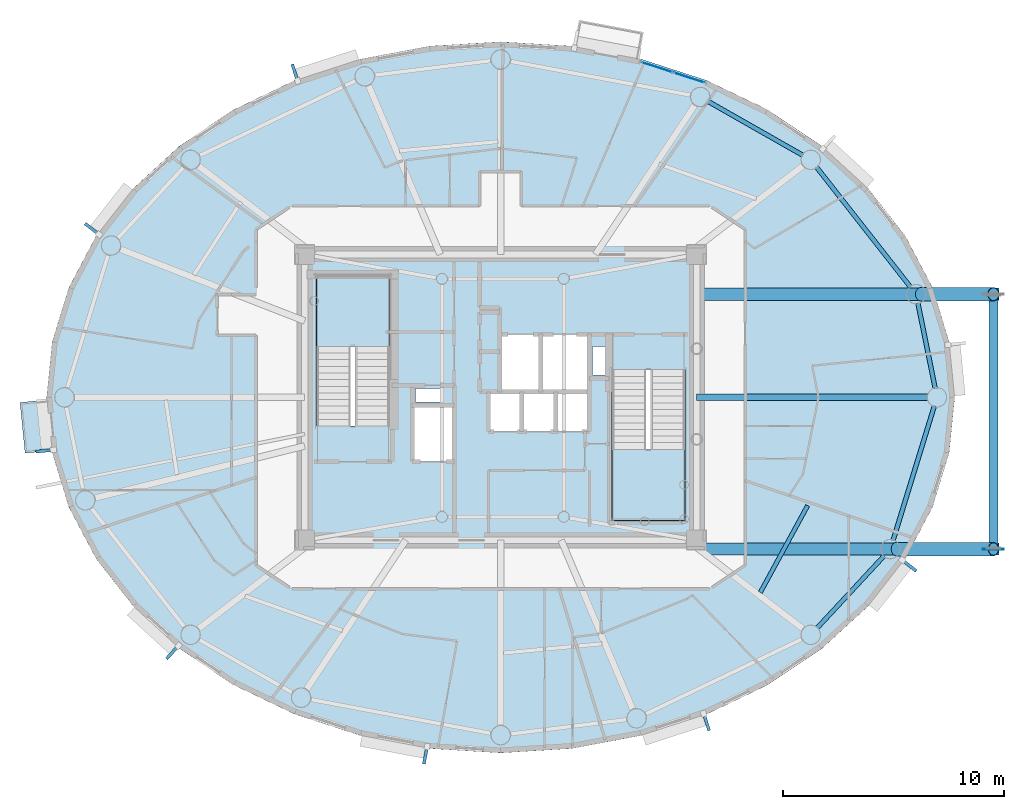
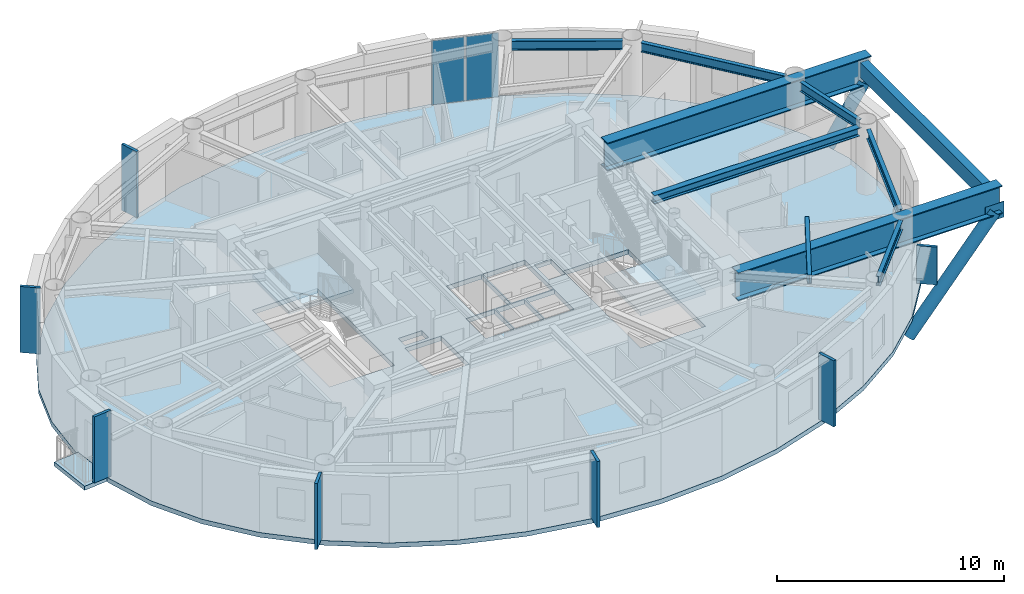
# One storey, part 4 of 17: 10 beams, 10 plates, 4 slabs, 2 members, 3 elements without a shape of their own.
"""IFC4 building model written with IfcOpenShell, lengths in metres."""

from ifc_helpers import new_model, si_unit, direction, frame, origin, origin_2d, place, context, subcontext, project, spatial, polyline, rectangle, hollow_rectangle, hollow_circle, i_section, outline, extrude, source, transform, mapped, material, layer, layer_set, material_profile, profile_set, type_object, element, aggregate, save


model = new_model("IFC4")

# Units and contexts
model_context = context("Model", 3, precision=1e-05, world=origin(), true_north=direction((0.0, 1.0)))
body_context = subcontext(model_context, "Body", "Model", "MODEL_VIEW")
ifc_project = project(units=[si_unit("LENGTHUNIT", "METRE"), si_unit("AREAUNIT", "SQUARE_METRE"), si_unit("VOLUMEUNIT", "CUBIC_METRE"), si_unit("PLANEANGLEUNIT", "RADIAN"), si_unit("MASSUNIT", "GRAM", prefix="KILO")], contexts=[model_context])

# Site, building, storey
site_placement = place(None, origin())
site = spatial("IfcSite", under=ifc_project, at=site_placement, CompositionType="ELEMENT")
building_placement = place(site_placement, origin())
building = spatial("IfcBuilding", under=site, at=building_placement, Name="Linh Dai School and Residence Tower", CompositionType="ELEMENT")
storey_placement = place(building_placement, frame((0.0, 0.0, 335.39990234375)))
storey = spatial("IfcBuildingStorey", under=building, at=storey_placement, Name="L83", CompositionType="ELEMENT", Elevation=335.39990234375)

# Beams
ifc_material_1 = material(Name="Structural Steel S355JR", Category="steel")
ifc_material_profile_1 = material_profile(ifc_material_1, hollow_rectangle(XDim=0.39990234375, YDim=0.800048828125, WallThickness=0.02490234375, at=origin_2d()), Name="RHS 800x400x25")
ifc_profile_set_1 = profile_set([ifc_material_profile_1], Name="Structural Steel S355JR")
beam_type_1 = type_object("IfcBeamType", Name="BM-BX8", PredefinedType="BEAM", material=ifc_profile_set_1)
beam_1_placement = place(storey_placement, frame((58.25, 20.1875, 2.800048828125), z_axis=(0.0, 1.0, 0.0), x_axis=(-1.0, 0.0, 0.0)))
element("IfcBeam", 1, at=beam_1_placement, inside=storey, type_object=beam_type_1, Name="L83 Sky-Lounge Transverse Edge Girder S1", PredefinedType="BEAM", context=body_context, shape_type="SweptSolid", body=[
    extrude(hollow_rectangle(XDim=0.39990234375, YDim=0.800048828125, WallThickness=0.02490234375, at=origin_2d()), origin(), (0.0, 0.0, 1.0), 11.42724609375),
])
ifc_material_profile_2 = material_profile(ifc_material_1, i_section(OverallWidth=0.199951171875, OverallDepth=0.5, WebThickness=0.01025390625, FlangeThickness=0.01611328125, FilletRadius=0.02099609375, at=origin_2d()), Name="IPE 500")
ifc_profile_set_2 = profile_set([ifc_material_profile_2], Name="Structural Steel S355JR")
beam_type_2 = type_object("IfcBeamType", Name="BM-RB50", PredefinedType="BEAM", material=ifc_profile_set_2)
beam_2_placement = place(storey_placement, frame((55.61669921875, 27.41162109375, 3.300048828125), z_axis=(-0.198409502721, 0.980119211744, 0.0), x_axis=(-0.980119211744, -0.198409502721, 0.0)))
element("IfcBeam", 2, at=beam_2_placement, inside=storey, type_object=beam_type_2, Name="L83 Perimeter Elliptical Ring Beam 01", PredefinedType="BEAM", context=body_context, shape_type="SweptSolid", body=[
    extrude(i_section(OverallWidth=0.199951171875, OverallDepth=0.5, WebThickness=0.01025390625, FlangeThickness=0.01611328125, FilletRadius=0.02099609375, at=origin_2d()), origin(), (0.0, 0.0, 1.0), 3.9091796875),
])
beam_3_placement = place(storey_placement, frame((54.498779296875, 31.9853515625, 3.300048828125), z_axis=(-0.616844770958, 0.787084829318, 0.0), x_axis=(-0.787084829318, -0.616844770958, 0.0)))
element("IfcBeam", 3, at=beam_3_placement, inside=storey, type_object=beam_type_2, Name="L83 Perimeter Elliptical Ring Beam 02", PredefinedType="BEAM", context=body_context, shape_type="SweptSolid", body=[
    extrude(i_section(OverallWidth=0.199951171875, OverallDepth=0.5, WebThickness=0.01025390625, FlangeThickness=0.01611328125, FilletRadius=0.02099609375, at=origin_2d()), origin(), (0.0, 0.0, 1.0), 6.869384765625),
])
beam_4_placement = place(storey_placement, frame((49.637451171875, 37.930419921875, 3.300048828125), z_axis=(-0.86923725405, 0.494395182189, 0.0), x_axis=(-0.494395182189, -0.86923725405, 0.0)))
element("IfcBeam", 4, at=beam_4_placement, inside=storey, type_object=beam_type_2, Name="L83 Perimeter Elliptical Ring Beam 03", PredefinedType="BEAM", context=body_context, shape_type="SweptSolid", body=[
    extrude(i_section(OverallWidth=0.199951171875, OverallDepth=0.5, WebThickness=0.01025390625, FlangeThickness=0.01611328125, FilletRadius=0.02099609375, at=origin_2d()), origin(), (0.0, 0.0, 1.0), 4.903076171875),
])
beam_5_placement = place(storey_placement, frame((50.2880859375, 16.5849609375, 3.300048828125), z_axis=(0.680339330162, 0.732897261446, 0.0), x_axis=(-0.732897261446, 0.680339330162, 0.0)))
element("IfcBeam", 5, at=beam_5_placement, inside=storey, type_object=beam_type_2, Name="L83 Perimeter Elliptical Ring Beam 15", PredefinedType="BEAM", context=body_context, shape_type="SweptSolid", body=[
    extrude(i_section(OverallWidth=0.199951171875, OverallDepth=0.5, WebThickness=0.01025390625, FlangeThickness=0.01611328125, FilletRadius=0.02099609375, at=origin_2d()), origin(), (0.0, 0.0, 1.0), 4.440673828125),
])
beam_6_placement = place(storey_placement, frame((53.718505859375, 20.548828125, 3.300048828125), z_axis=(0.293606003102, 0.955926521728, 0.0), x_axis=(-0.955926521728, 0.293606003102, 0.0)))
element("IfcBeam", 6, at=beam_6_placement, inside=storey, type_object=beam_type_2, Name="L83 Perimeter Elliptical Ring Beam 16", PredefinedType="BEAM", context=body_context, shape_type="SweptSolid", body=[
    extrude(i_section(OverallWidth=0.199951171875, OverallDepth=0.5, WebThickness=0.01025390625, FlangeThickness=0.01611328125, FilletRadius=0.02099609375, at=origin_2d()), origin(), (0.0, 0.0, 1.0), 6.32861328125),
])
ifc_material_profile_3 = material_profile(ifc_material_1, i_section(OverallWidth=0.300048828125, OverallDepth=0.449951171875, WebThickness=0.013916015625, FlangeThickness=0.02587890625, FilletRadius=0.027099609375, at=origin_2d()), Name="HEB 450")
ifc_profile_set_3 = profile_set([ifc_material_profile_3], Name="Structural Steel S355JR")
beam_type_3 = type_object("IfcBeamType", Name="BM-RG45", PredefinedType="BEAM", material=ifc_profile_set_3)
beam_7_placement = place(storey_placement, frame((44.85009765625, 27.0, 3.3251953125), z_axis=(1.0, 0.0, 0.0), x_axis=(0.0, 1.0, 0.0)))
element("IfcBeam", 7, at=beam_7_placement, inside=storey, type_object=beam_type_3, Name="L83 Primary Radial Floor Girder 01", PredefinedType="BEAM", context=body_context, shape_type="SweptSolid", body=[
    extrude(i_section(OverallWidth=0.300048828125, OverallDepth=0.449951171875, WebThickness=0.013916015625, FlangeThickness=0.02587890625, FilletRadius=0.027099609375, at=origin_2d()), origin(), (0.0, 0.0, 1.0), 10.429931640625),
])
ifc_material_profile_4 = material_profile(ifc_material_1, i_section(OverallWidth=0.18994140625, OverallDepth=0.449951171875, WebThickness=0.009521484375, FlangeThickness=0.0146484375, FilletRadius=0.02099609375, at=origin_2d()), Name="IPE 450")
ifc_profile_set_4 = profile_set([ifc_material_profile_4], Name="Structural Steel S355JR")
beam_type_4 = type_object("IfcBeamType", Name="BM-SB45", PredefinedType="BEAM", material=ifc_profile_set_4)
beam_8_placement = place(storey_placement, frame((47.72119140625, 18.18603515625, 3.3251953125), z_axis=(0.478255296325, 0.878220855786, 0.0), x_axis=(-0.878220855786, 0.478255296325, 0.0)))
element("IfcBeam", 8, at=beam_8_placement, inside=storey, type_object=beam_type_4, Name="L83 Secondary Circumferential Floor Beam 08", PredefinedType="BEAM", context=body_context, shape_type="SweptSolid", body=[
    extrude(i_section(OverallWidth=0.18994140625, OverallDepth=0.449951171875, WebThickness=0.009521484375, FlangeThickness=0.0146484375, FilletRadius=0.02099609375, at=origin_2d()), origin(), (0.0, 0.0, 1.0), 4.471923828125),
])
ifc_material_profile_5 = material_profile(ifc_material_1, i_section(OverallWidth=0.550048828125, OverallDepth=1.5, WebThickness=0.028076171875, FlangeThickness=0.050048828125, at=origin_2d()), Name="PG 1500x550x28x50")
ifc_profile_set_5 = profile_set([ifc_material_profile_5], Name="Structural Steel S355JR")
beam_type_5 = type_object("IfcBeamType", Name="BM-TG15", PredefinedType="BEAM", material=ifc_profile_set_5)
for number, where, z_axis, x_axis, name in (
    (9, (45.073974609375, 20.1474609375, 2.800048828125), (1.0, 0.0, 0.0), (0.0, 1.0, 0.0), "L83 Sky-Lounge Stage-1 Continuous Transfer Girder S"),
    (10, (45.073974609375, 31.65478515625, 2.800048828125), (1.0, 0.0, 0.0), (0.0, 1.0, 0.0), "L83 Sky-Lounge Stage-1 Continuous Transfer Girder N"),
):
    element("IfcBeam", number, at=place(storey_placement, frame(where, z_axis=z_axis, x_axis=x_axis)), inside=storey, type_object=beam_type_5, Name=name, PredefinedType="BEAM", context=body_context, shape_type="SweptSolid", body=[
        extrude(i_section(OverallWidth=0.550048828125, OverallDepth=1.5, WebThickness=0.028076171875, FlangeThickness=0.050048828125, at=origin_2d()), origin(), (0.0, 0.0, 1.0), 13.426025390625),
    ])

# Members
ifc_material_profile_6 = material_profile(ifc_material_1, hollow_circle(Radius=0.304931640625, WallThickness=0.02490234375, at=origin_2d()), Name="CHS 610x25")
ifc_profile_set_6 = profile_set([ifc_material_profile_6], Name="Structural Steel S355JR")
member_type = type_object("IfcMemberType", Name="MBR-SKR1", PredefinedType="BRACE", material=ifc_profile_set_6)
member_1_placement = place(storey_placement, frame((53.8662109375, 20.1474609375, -3.0791015625), z_axis=(0.645334654761, 0.0, 0.763899982566), x_axis=(0.0, 1.0, 0.0)))
element("IfcMember", 11, at=member_1_placement, inside=storey, type_object=member_type, Name="L83 Sky-Lounge Lower Raking Strut S", PredefinedType="BRACE", context=body_context, shape_type="SweptSolid", body=[
    extrude(hollow_circle(Radius=0.304931640625, WallThickness=0.02490234375, at=origin_2d()), origin(), (0.0, 0.0, 1.0), 6.79296875),
])
member_2_placement = place(storey_placement, frame((54.982666015625, 31.65478515625, -3.045166015625), z_axis=(0.535324220513, 0.0, 0.844646659221), x_axis=(0.0, 1.0, 0.0)))
element("IfcMember", 12, at=member_2_placement, inside=storey, type_object=member_type, Name="L83 Sky-Lounge Lower Raking Strut N", PredefinedType="BRACE", context=body_context, shape_type="SweptSolid", body=[
    extrude(hollow_circle(Radius=0.304931640625, WallThickness=0.02490234375, at=origin_2d()), origin(), (0.0, 0.0, 1.0), 6.103515625),
])

# Slabs
ifc_material_2 = material(Name="Concrete B45 (C35/45)", Category="concrete")
ifc_layer_1 = layer(ifc_material_2, 0.219970703125)
ifc_layer_set_1 = layer_set([ifc_layer_1], Name="Concrete B45 (C35/45)")
slab_type_1 = type_object("IfcSlabType", Name="SLB-BALC-220", PredefinedType="FLOOR", material=ifc_layer_set_1)
slab_1_placement = place(storey_placement, frame((0.0, 0.0, -0.219970703125)))
element("IfcSlab", 13, at=slab_1_placement, inside=storey, type_object=slab_type_1, Name="L83 Sliding Balcony Slab 21", PredefinedType="FLOOR", context=body_context, shape_type="SweptSolid", body=[
    extrude(outline(polyline([(15.820068359375, 24.608154296875), (15.59033203125, 26.89599609375), (14.296630859375, 26.76611328125), (14.526611328125, 24.478271484375), (15.820068359375, 24.608154296875)])), origin(), (0.0, 0.0, 1.0), 0.219970703125),
])
ifc_layer_2 = layer(ifc_material_2, 0.25)
ifc_layer_set_2 = layer_set([ifc_layer_2], Name="Concrete B45 (C35/45)")
slab_type_2 = type_object("IfcSlabType", Name="SLB-FLR250", PredefinedType="FLOOR", material=ifc_layer_set_2)
slab_2_placement = place(storey_placement, frame((0.0, 0.0, -0.25)))
element("IfcSlab", 14, at=slab_2_placement, inside=storey, type_object=slab_type_2, Name="L83 Composite Structural Floor Slab", PredefinedType="FLOOR", context=body_context, shape_type="SweptSolid", body=[
    extrude(outline(polyline([(56.5, 27.0), (56.24755859375, 29.511474609375), (55.49658203125, 31.961181640625), (54.265625, 34.288818359375), (52.5849609375, 36.43701171875), (50.49560546875, 38.3525390625), (48.049560546875, 39.98876953125), (45.306884765625, 41.30517578125), (42.3349609375, 42.269287109375), (39.206787109375, 42.857421875), (36.0, 43.054931640625), (32.793212890625, 42.857421875), (29.6650390625, 42.269287109375), (26.693115234375, 41.30517578125), (23.950439453125, 39.98876953125), (21.50439453125, 38.3525390625), (19.4150390625, 36.43701171875), (17.734375, 34.288818359375), (16.50341796875, 31.961181640625), (15.75244140625, 29.511474609375), (15.5, 27.0), (15.75244140625, 24.488525390625), (16.50341796875, 22.038818359375), (17.734375, 19.711181640625), (19.4150390625, 17.56298828125), (21.50439453125, 15.6474609375), (23.950439453125, 14.01123046875), (26.693115234375, 12.69482421875), (29.6650390625, 11.730712890625), (32.793212890625, 11.142578125), (36.0, 10.945068359375), (39.206787109375, 11.142578125), (42.3349609375, 11.730712890625), (45.306884765625, 12.69482421875), (48.049560546875, 14.01123046875), (50.49560546875, 15.6474609375), (52.5849609375, 17.56298828125), (54.265625, 19.711181640625), (55.49658203125, 22.038818359375), (56.24755859375, 24.488525390625), (56.5, 27.0)]), holes=[polyline([(30.97998046875, 25.699951171875), (30.97998046875, 32.5), (27.679931640625, 32.5), (27.679931640625, 25.699951171875), (30.97998046875, 25.699951171875)]), polyline([(41.02001953125, 28.25), (41.02001953125, 21.449951171875), (44.320068359375, 21.449951171875), (44.320068359375, 28.25), (41.02001953125, 28.25)]), polyline([(35.97998046875, 27.280029296875), (37.77001953125, 27.280029296875), (37.77001953125, 29.820068359375), (35.97998046875, 29.820068359375), (35.97998046875, 27.280029296875)]), polyline([(32.030029296875, 24.1298828125), (33.8701171875, 24.1298828125), (33.8701171875, 26.6201171875), (32.030029296875, 26.6201171875), (32.030029296875, 24.1298828125)]), polyline([(37.830078125, 27.280029296875), (39.969970703125, 27.280029296875), (39.969970703125, 29.820068359375), (37.830078125, 29.820068359375), (37.830078125, 27.280029296875)]), polyline([(35.47998046875, 25.47998046875), (36.929931640625, 25.47998046875), (36.929931640625, 27.219970703125), (35.47998046875, 27.219970703125), (35.47998046875, 25.47998046875)]), polyline([(36.989990234375, 25.47998046875), (38.449951171875, 25.47998046875), (38.449951171875, 27.219970703125), (36.989990234375, 27.219970703125), (36.989990234375, 25.47998046875)]), polyline([(38.510009765625, 25.47998046875), (39.969970703125, 25.47998046875), (39.969970703125, 27.219970703125), (38.510009765625, 27.219970703125), (38.510009765625, 25.47998046875)]), polyline([(40.14990234375, 28.0), (40.14990234375, 29.300048828125), (41.0, 29.300048828125), (41.0, 28.280029296875), (40.989990234375, 28.280029296875), (40.989990234375, 28.0), (40.14990234375, 28.0)]), polyline([(32.14990234375, 26.800048828125), (33.35009765625, 26.800048828125), (33.35009765625, 27.39990234375), (32.14990234375, 27.39990234375), (32.14990234375, 26.800048828125)])]), origin(), (0.0, 0.0, 1.0), 0.25),
])

# Stair, slab
stair_type = type_object("IfcStairType", Name="ST-DOG-1550-R1462", PredefinedType="HALF_TURN_STAIR", material=ifc_material_2)
stair_1_placement = place(storey_placement, origin())
stair_1 = element("IfcStair", 15, at=stair_1_placement, inside=storey, type_object=stair_type, Name="L83 Core Smokeproof Exit Stair ST1", PredefinedType="HALF_TURN_STAIR")
ifc_layer_3 = layer(ifc_material_2, 0.199951171875)
ifc_layer_set_3 = layer_set([ifc_layer_3], Name="Concrete B45 (C35/45)")
slab_type_3 = type_object("IfcSlabType", Name="SLB-ST-LANDING-200", PredefinedType="LANDING", material=ifc_layer_set_3)
slab_3_placement = place(storey_placement, frame((0.0, 0.0, 1.7001953125)))
slab_3 = element("IfcSlab", 16, at=slab_3_placement, type_object=slab_type_3, Name="ST1 landing 1", PredefinedType="LANDING", context=body_context, shape_type="SweptSolid", body=[
    extrude(outline(polyline([(30.97998046875, 29.300048828125), (30.97998046875, 32.5), (27.679931640625, 32.5), (27.679931640625, 29.300048828125), (30.97998046875, 29.300048828125)])), origin(), (0.0, 0.0, 1.0), 0.199951171875),
])
aggregate(stair_1, [slab_3])

stair_2_placement = place(storey_placement, origin())
stair_2 = element("IfcStair", 17, at=stair_2_placement, inside=storey, type_object=stair_type, Name="L83 Core Smokeproof Exit Stair ST2", PredefinedType="HALF_TURN_STAIR")
slab_4_placement = place(storey_placement, frame((0.0, 0.0, 1.7001953125)))
slab_4 = element("IfcSlab", 18, at=slab_4_placement, type_object=slab_type_3, Name="ST2 landing 1", PredefinedType="LANDING", context=body_context, shape_type="SweptSolid", body=[
    extrude(outline(polyline([(41.02001953125, 24.64990234375), (41.02001953125, 21.449951171875), (44.320068359375, 21.449951171875), (44.320068359375, 24.64990234375), (41.02001953125, 24.64990234375)])), origin(), (0.0, 0.0, 1.0), 0.199951171875),
])
aggregate(stair_2, [slab_4])

# Plates
ifc_layer_4 = layer(ifc_material_1, 0.0400390625)
ifc_layer_set_4 = layer_set([ifc_layer_4], Name="Structural Steel S355JR")
plate_type_1 = type_object("IfcPlateType", Name="PLT-GP1", PredefinedType="USERDEFINED", material=ifc_layer_set_4)
shared_shape_1 = source(origin(), body_context, "Body", "SweptSolid", [
    extrude(rectangle(XDim=0.949951171875, YDim=0.0400390625, at=origin_2d()), origin(), (0.0, 0.0, 1.0), 0.85009765625),
])
plate_1_placement = place(storey_placement, frame((58.25, 20.1474609375, 1.625), z_axis=(0.0, 0.0, 1.0), x_axis=(1.0, 0.0, 0.0)))
element("IfcPlate", 19, at=plate_1_placement, inside=storey, type_object=plate_type_1, Name="L83 Sky-Lounge Lower Strut Gusset S", ObjectType="GUSSET PLATE", PredefinedType="USERDEFINED", context=body_context, shape_type="MappedRepresentation", body=[
    mapped(shared_shape_1, transform((0.0, 0.0, 0.0), x_axis=(1.0, 0.0, 0.0), y_axis=(0.0, 1.0, 0.0), z_axis=(0.0, 0.0, 1.0), scale=1.0)),
])
ifc_material_3 = material(Name="Precast Concrete B45 (C35/45)", Category="concrete")
ifc_layer_5 = layer(ifc_material_3, 0.139892578125)
ifc_layer_set_5 = layer_set([ifc_layer_5], Name="Precast Concrete B45 (C35/45)")
plate_type_2 = type_object("IfcPlateType", Name="FIN-TC-900x140", PredefinedType="USERDEFINED", material=ifc_layer_set_5)
shared_shape_2 = source(origin(), body_context, "Body", "SweptSolid", [
    extrude(rectangle(XDim=0.89990234375, YDim=0.139892578125, at=origin_2d()), origin(), (0.0, 0.0, 1.0), 3.550048828125),
])
for number, where, z_axis, x_axis, name in (
    (20, (26.72705078125, 41.615966796875, 0.0), (0.0, 0.0, 1.0), (-0.30856528097, 0.951203168298, 0.0), "L83 Precast Terracotta Radial Fin 13"),
    (21, (17.590087890625, 34.56787109375, 0.0), (0.0, 0.0, 1.0), (-0.787553267085, 0.616246583361, 0.0), "L83 Precast Terracotta Radial Fin 17"),
    (22, (15.455078125, 24.591552734375, 0.0), (0.0, 0.0, 1.0), (-0.994988264886, -0.099991763355, 0.0), "L83 Precast Terracotta Radial Fin 21"),
    (23, (21.2158203125, 15.524658203125, 0.0), (0.0, 0.0, 1.0), (-0.675840935412, -0.73704750866, 0.0), "L83 Precast Terracotta Radial Fin 25"),
    (24, (32.61474609375, 10.885986328125, 0.0), (0.0, 0.0, 1.0), (-0.184784564405, -0.982779051851, 0.0), "L83 Precast Terracotta Radial Fin 29"),
    (25, (45.27294921875, 12.384033203125, 0.0), (0.0, 0.0, 1.0), (0.30856528097, -0.951203168298, 0.0), "L83 Precast Terracotta Radial Fin 33"),
):
    element("IfcPlate", number, at=place(storey_placement, frame(where, z_axis=z_axis, x_axis=x_axis)), inside=storey, type_object=plate_type_2, Name=name, ObjectType="RADIAL FIN", PredefinedType="USERDEFINED", context=body_context, shape_type="MappedRepresentation", body=[
        mapped(shared_shape_2, transform((0.0, 0.0, 0.0), x_axis=(1.0, 0.0, 0.0), y_axis=(0.0, 1.0, 0.0), z_axis=(0.0, 0.0, 1.0), scale=1.0)),
    ])

# Curtain wall, plates
ifc_material_4 = material(Name="Aluminium Anodised Curtain Wall", Category="aluminium")
ifc_layer_6 = layer(ifc_material_4, 0.14990234375)
ifc_layer_set_6 = layer_set([ifc_layer_6], Name="Aluminium Anodised Curtain Wall")
curtain_wall_type = type_object("IfcCurtainWallType", Name="CW-SYS-4", PredefinedType="USERDEFINED", material=ifc_layer_set_6)
curtain_wall_placement = place(storey_placement, origin())
curtain_wall = element("IfcCurtainWall", 26, at=curtain_wall_placement, inside=storey, type_object=curtain_wall_type, Name="L83 CW4 Curtain Wall 08", ObjectType="RIBBON CURTAIN WALL", PredefinedType="USERDEFINED")
ifc_material_5 = material(Name="Double Low-E Insulated Glazing", Category="glass")
ifc_layer_7 = layer(ifc_material_5, 0.02587890625)
ifc_layer_set_7 = layer_set([ifc_layer_7], Name="Double Low-E Insulated Glazing")
plate_type_3 = type_object("IfcPlateType", Name="CW-SYS-4-PAN", PredefinedType="CURTAIN_PANEL", material=ifc_layer_set_7)
shared_shape_3 = source(origin(), body_context, "Body", "SweptSolid", [
    extrude(rectangle(XDim=1.47607421875, YDim=0.02587890625, at=origin_2d()), origin(), (0.0, 0.0, 1.0), 3.446044921875),
])
plate_2_placement = place(storey_placement, frame((43.055419921875, 41.904296875, 0.05224609375), z_axis=(0.0, 0.0, 1.0), x_axis=(0.951203168298, -0.30856528097, 0.0)))
plate_2 = element("IfcPlate", 27, at=plate_2_placement, type_object=plate_type_3, Name="CW4 panel 1.1", PredefinedType="CURTAIN_PANEL", context=body_context, shape_type="MappedRepresentation", body=[
    mapped(shared_shape_3, transform((0.0, 0.0, 0.0), x_axis=(1.0, 0.0, 0.0), y_axis=(0.0, 1.0, 0.0), z_axis=(0.0, 0.0, 1.0), scale=1.0)),
])
plate_3_placement = place(storey_placement, frame((44.509033203125, 41.432861328125, 0.05224609375), z_axis=(0.0, 0.0, 1.0), x_axis=(0.951203168298, -0.30856528097, 0.0)))
plate_3 = element("IfcPlate", 28, at=plate_3_placement, type_object=plate_type_3, Name="CW4 panel 2.1", PredefinedType="CURTAIN_PANEL", context=body_context, shape_type="MappedRepresentation", body=[
    mapped(shared_shape_3, transform((0.0, 0.0, 0.0), x_axis=(1.0, 0.0, 0.0), y_axis=(0.0, 1.0, 0.0), z_axis=(0.0, 0.0, 1.0), scale=1.0)),
])
aggregate(curtain_wall, [plate_2, plate_3])

# Plate
shared_shape_4 = source(origin(), body_context, "Body", "SweptSolid", [
    extrude(rectangle(XDim=0.89990234375, YDim=0.139892578125, at=origin_2d()), origin(), (0.0, 0.0, 1.0), 2.034912109375),
])
plate_4_placement = place(storey_placement, frame((54.409912109375, 19.43212890625, 0.0), z_axis=(0.0, 0.0, 1.0), x_axis=(0.787553267085, -0.616246583361, 0.0)))
element("IfcPlate", 29, at=plate_4_placement, inside=storey, type_object=plate_type_2, Name="L83 Precast Terracotta Radial Fin 37", ObjectType="RADIAL FIN", PredefinedType="USERDEFINED", context=body_context, shape_type="MappedRepresentation", body=[
    mapped(shared_shape_4, transform((0.0, 0.0, 0.0), x_axis=(1.0, 0.0, 0.0), y_axis=(0.0, 1.0, 0.0), z_axis=(0.0, 0.0, 1.0), scale=1.0)),
])

save(model, "model.ifc")
